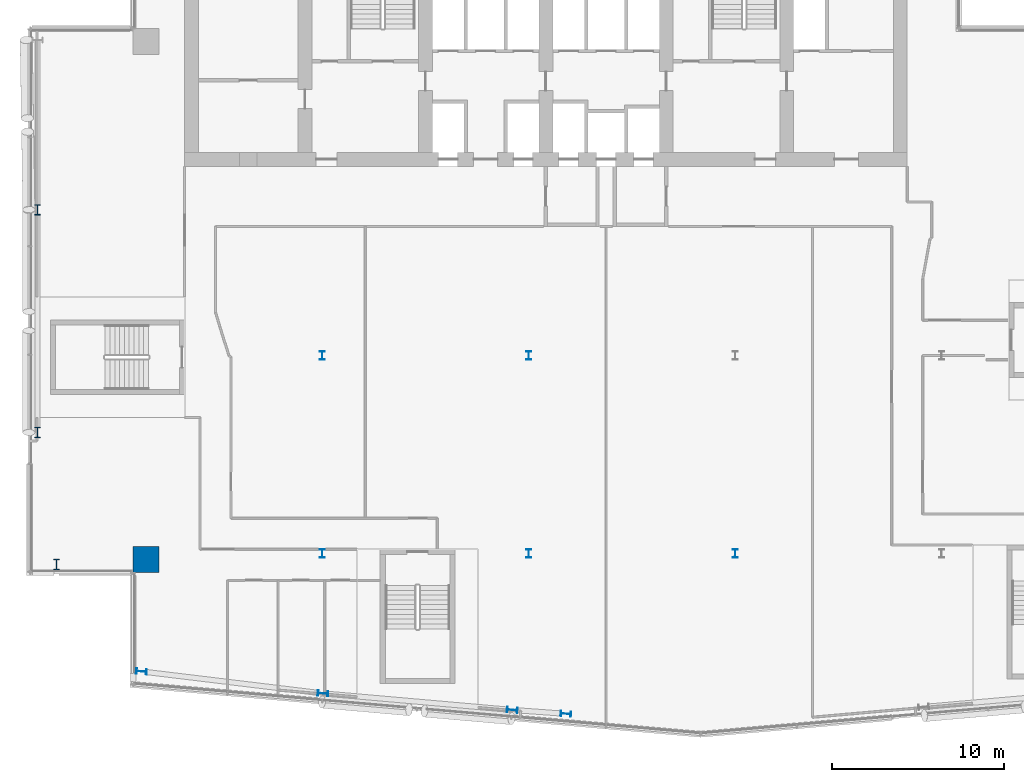
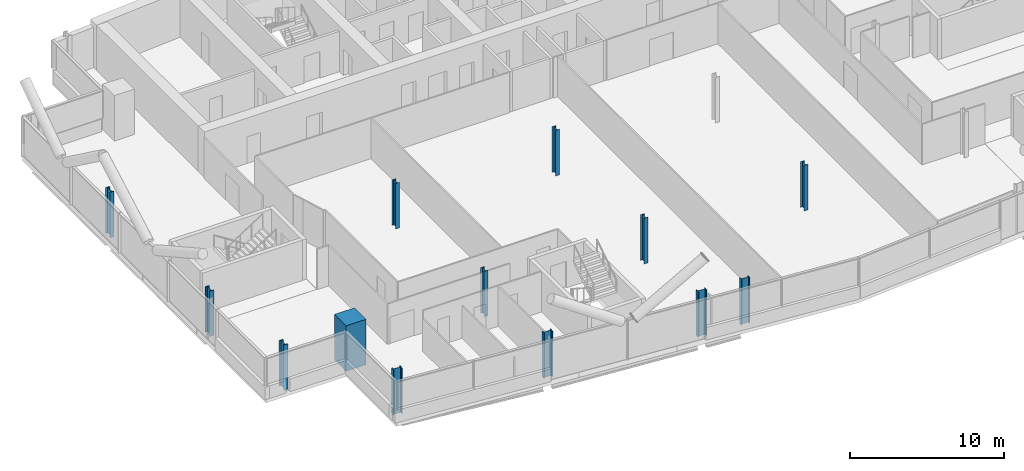
# One storey, part 1 of 26: 13 columns.
"""IFC4 building model written with IfcOpenShell, lengths in metres."""

from ifc_helpers import new_model, si_unit, direction, frame, origin, origin_2d, place, context, subcontext, project, spatial, rectangle, i_section, extrude, material, material_profile, profile_set, type_object, element, save


model = new_model("IFC4")

# Units and contexts
model_context = context("Model", 3, precision=1e-05, world=origin(), true_north=direction((0.0, 1.0)))
body_context = subcontext(model_context, "Body", "Model", "MODEL_VIEW")
ifc_project = project(units=[si_unit("LENGTHUNIT", "METRE"), si_unit("AREAUNIT", "SQUARE_METRE"), si_unit("VOLUMEUNIT", "CUBIC_METRE"), si_unit("PLANEANGLEUNIT", "RADIAN"), si_unit("MASSUNIT", "GRAM", prefix="KILO")], contexts=[model_context])

# Site, building, storey
site_placement = place(None, origin())
site = spatial("IfcSite", under=ifc_project, at=site_placement, CompositionType="ELEMENT")
building_placement = place(site_placement, origin())
building = spatial("IfcBuilding", under=site, at=building_placement, Name="Wharfspan Tower", CompositionType="ELEMENT")
storey_placement = place(building_placement, frame((0.0, 0.0, 180.699951)))
storey = spatial("IfcBuildingStorey", under=building, at=storey_placement, Name="L44", CompositionType="ELEMENT", Elevation=180.699951)

# Columns
ifc_material_1 = material(Name="Steel S355J2", Category="steel")
ifc_material_profile_1 = material_profile(ifc_material_1, i_section(OverallWidth=0.300049, OverallDepth=0.5, WebThickness=0.014404, FlangeThickness=0.028076, FilletRadius=0.0271, at=origin_2d()))
ifc_profile_set_1 = profile_set([ifc_material_profile_1], Name="Steel S355J2")
column_type_1 = type_object("IfcColumnType", Name="Column HEB 500", PredefinedType="COLUMN", material=ifc_profile_set_1)
for number, where, z_axis, x_axis, name in (
    (1, (24.0, 11.5, 0.0), (0.0, 0.0, 1.0), (1.0, 0.0, 0.0), "Interior column I.1.1 L44"),
    (2, (36.0, 11.5, 0.0), (0.0, 0.0, 1.0), (1.0, 0.0, 0.0), "Interior column I.1.2 L44"),
    (3, (48.0, 11.5, 0.0), (0.0, 0.0, 1.0), (1.0, 0.0, 0.0), "Interior column I.1.3 L44"),
    (4, (24.0, 23.0, 0.0), (0.0, 0.0, 1.0), (1.0, 0.0, 0.0), "Interior column I.2.1 L44"),
    (5, (36.0, 23.0, 0.0), (0.0, 0.0, 1.0), (1.0, 0.0, 0.0), "Interior column I.2.2 L44"),
):
    element("IfcColumn", number, at=place(storey_placement, frame(where, z_axis=z_axis, x_axis=x_axis)), inside=storey, type_object=column_type_1, Name=name, PredefinedType="COLUMN", context=body_context, shape_type="SweptSolid", body=[
        extrude(i_section(OverallWidth=0.300049, OverallDepth=0.5, WebThickness=0.014404, FlangeThickness=0.028076, FilletRadius=0.0271, at=origin_2d()), origin(), (0.0, 0.0, 1.0), 3.600098),
    ])
ifc_material_profile_2 = material_profile(ifc_material_1, i_section(OverallWidth=0.304932, OverallDepth=0.620117, WebThickness=0.020996, FlangeThickness=0.040039, FilletRadius=0.0271, at=origin_2d()))
ifc_profile_set_2 = profile_set([ifc_material_profile_2], Name="Steel S355J2")
column_type_2 = type_object("IfcColumnType", Name="Column HEM 600", PredefinedType="COLUMN", material=ifc_profile_set_2)
for number, where, z_axis, x_axis, name in (
    (6, (13.490723, 4.637451, 0.0), (0.0, 0.0, 1.0), (-0.087156, -0.996198, 0.0), "Perimeter column PS1.1 L44"),
    (7, (24.039307, 3.361084, 0.0), (0.0, 0.0, 1.0), (-0.087156, -0.996198, 0.0), "Perimeter column PS1.2 L44"),
    (8, (35.039307, 2.398682, 0.0), (0.0, 0.0, 1.0), (-0.087156, -0.996198, 0.0), "Perimeter column PS1.3 L44"),
    (9, (38.161133, 2.174072, 0.0), (0.0, 0.0, 1.0), (-0.087156, -0.996198, 0.0), "Perimeter column PS1.4 L44"),
    (10, (7.449951, 31.466553, 0.0), (0.0, 0.0, 1.0), (-1.0, 0.0, 0.0), "Perimeter column PW.1 L44"),
    (11, (7.449951, 18.533447, 0.0), (0.0, 0.0, 1.0), (-1.0, 0.0, 0.0), "Perimeter column PW.2 L44"),
    (12, (8.560791, 10.854004, 0.0), (0.0, 0.0, 1.0), (-1.0, 0.0, 0.0), "Perimeter column PW.3 L44"),
):
    element("IfcColumn", number, at=place(storey_placement, frame(where, z_axis=z_axis, x_axis=x_axis)), inside=storey, type_object=column_type_2, Name=name, PredefinedType="COLUMN", context=body_context, shape_type="SweptSolid", body=[
        extrude(i_section(OverallWidth=0.304932, OverallDepth=0.620117, WebThickness=0.020996, FlangeThickness=0.040039, FilletRadius=0.0271, at=origin_2d()), origin(), (0.0, 0.0, 1.0), 3.600098),
    ])
ifc_material_2 = material(Name="Concrete C60/75", Category="concrete")
ifc_material_profile_3 = material_profile(ifc_material_2, rectangle(XDim=1.5, YDim=1.5, at=origin_2d()))
ifc_profile_set_3 = profile_set([ifc_material_profile_3], Name="Concrete C60/75")
column_type_3 = type_object("IfcColumnType", Name="Mega column 1500 C60/75", PredefinedType="COLUMN", material=ifc_profile_set_3)
column_placement = place(storey_placement, frame((13.75, 11.149902, 0.0), z_axis=(0.0, 0.0, 1.0), x_axis=(1.0, 0.0, 0.0)))
element("IfcColumn", 13, at=column_placement, inside=storey, type_object=column_type_3, Name="Mega column MC1 L44", PredefinedType="COLUMN", context=body_context, shape_type="SweptSolid", body=[
    extrude(rectangle(XDim=1.5, YDim=1.5, at=origin_2d()), origin(), (0.0, 0.0, 1.0), 3.600098),
])

save(model, "model.ifc")
